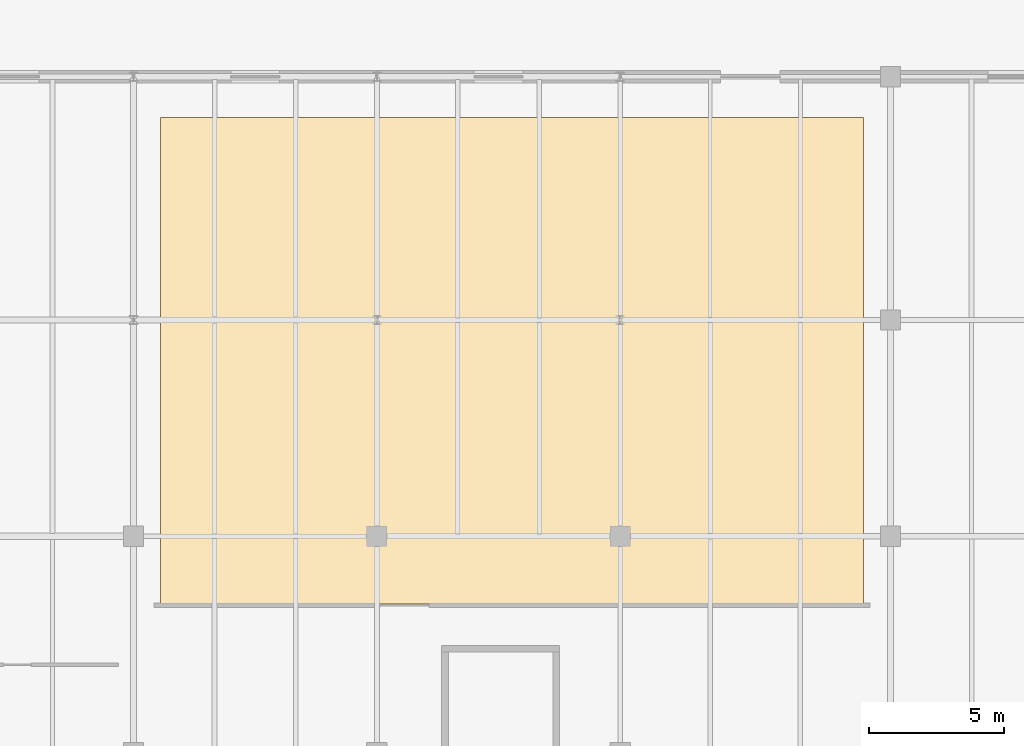
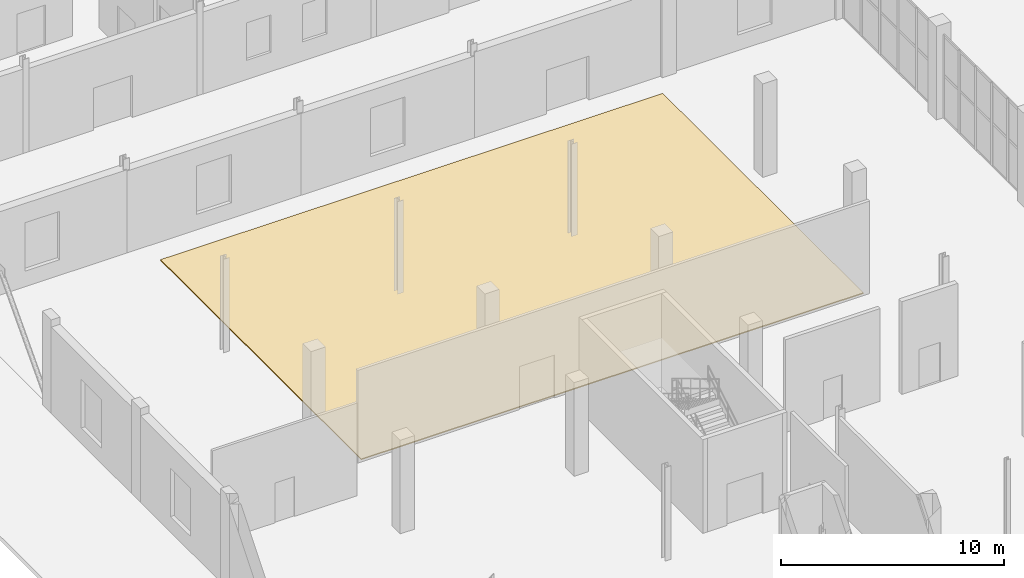
# One storey, part 94 of 103: 1 covering.
"""IFC4 building model written with IfcOpenShell, lengths in metres."""

from ifc_helpers import new_model, si_unit, direction, origin, place, context, subcontext, project, spatial, polyline, outline, extrude, material, layer, layer_set, type_object, element, save


model = new_model("IFC4")

# Units and contexts
model_context = context("Model", 3, precision=1e-05, world=origin(), true_north=direction((0.0, 1.0)))
body_context = subcontext(model_context, "Body", "Model", "MODEL_VIEW")
ifc_project = project(units=[si_unit("LENGTHUNIT", "METRE"), si_unit("AREAUNIT", "SQUARE_METRE"), si_unit("VOLUMEUNIT", "CUBIC_METRE"), si_unit("PLANEANGLEUNIT", "RADIAN"), si_unit("MASSUNIT", "GRAM", prefix="KILO")], contexts=[model_context])

# Site, building, storey
site_placement = place(None, origin())
site = spatial("IfcSite", under=ifc_project, at=site_placement, CompositionType="ELEMENT")
building_placement = place(site_placement, origin())
building = spatial("IfcBuilding", under=site, at=building_placement, Name="Marnock Terrace Opera House", CompositionType="ELEMENT")
storey_placement = place(building_placement, origin())
storey = spatial("IfcBuildingStorey", under=building, at=storey_placement, Name="L00", CompositionType="ELEMENT", Elevation=0.0)

# Covering
ifc_material = material(Name="Sprung Douglas-fir stage floor deck")
ifc_layer = layer(ifc_material, 0.054931640625)
ifc_layer_set = layer_set([ifc_layer], Name="Sprung Douglas-fir stage floor deck")
covering_type = type_object("IfcCoveringType", Name="COV-FLR-STAGE", PredefinedType="FLOORING", material=ifc_layer_set)
covering_placement = place(storey_placement, origin())
element("IfcCovering", 1, at=covering_placement, inside=storey, type_object=covering_type, Name="L00 finished flooring FLR-REHEARS-STAGE", PredefinedType="FLOORING", context=body_context, shape_type="SweptSolid", body=[
    extrude(outline(polyline([(10.0, 37.5), (36.0, 37.5), (36.0, 55.5), (10.0, 55.5), (10.0, 37.5)])), origin(), (0.0, 0.0, 1.0), 0.054931640625),
])

save(model, "model.ifc")
